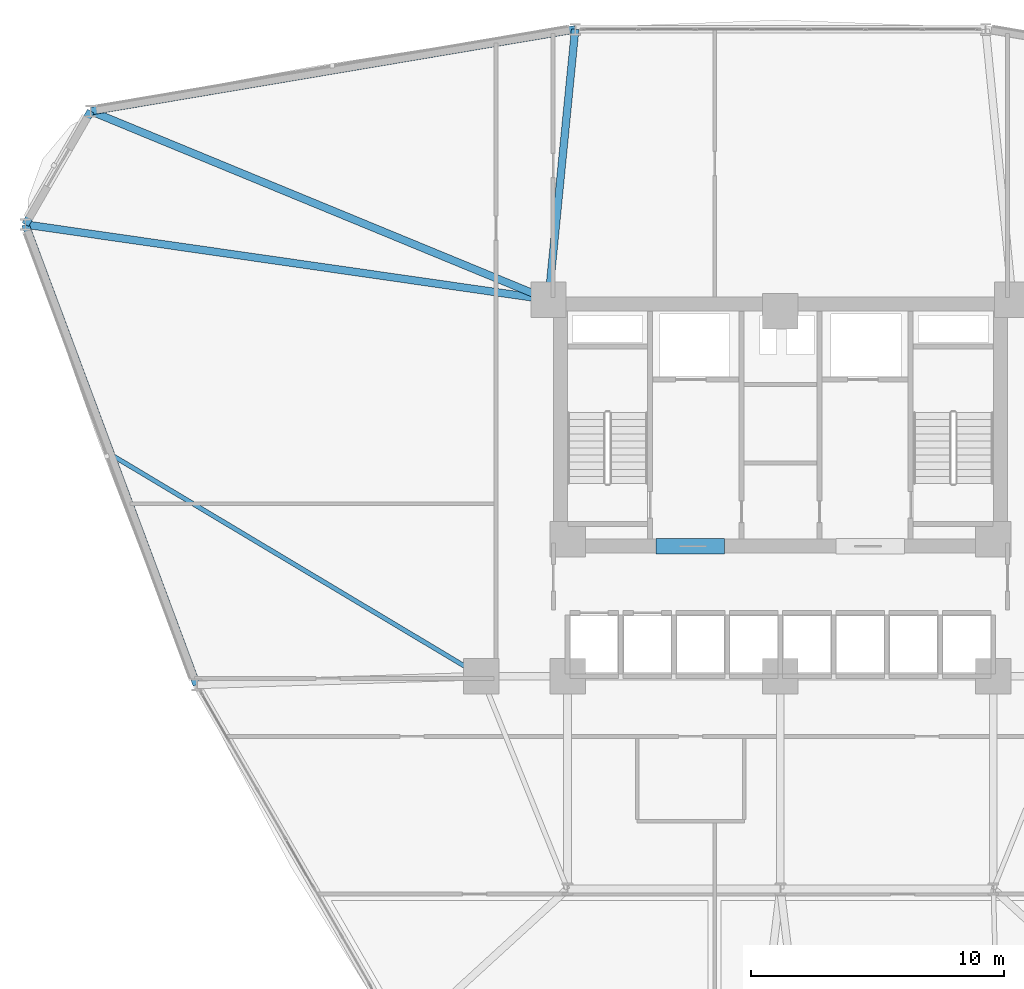
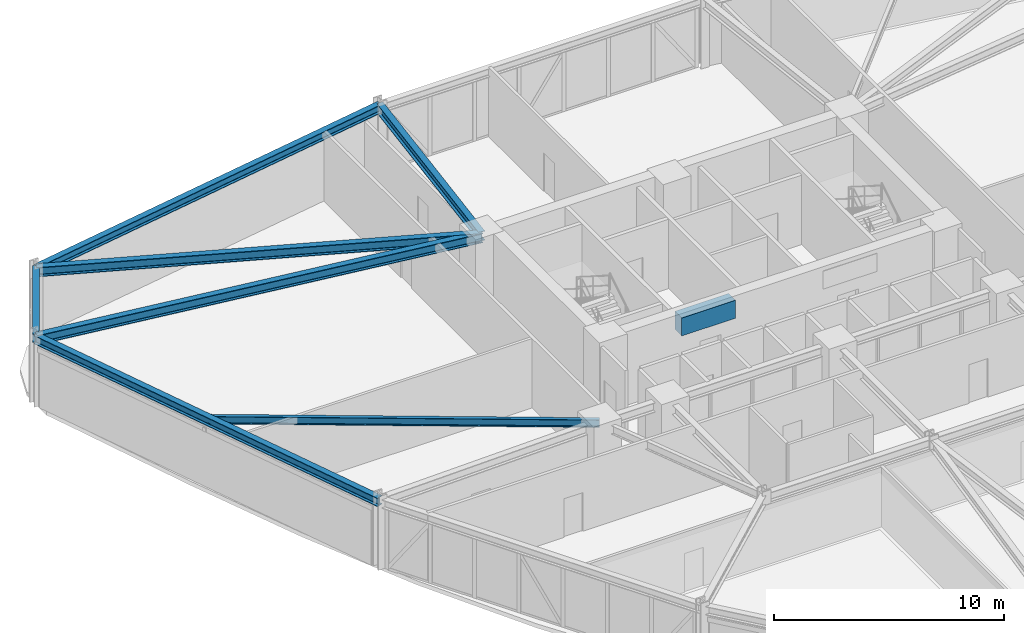
# One storey, part 10 of 21: 8 beams.
"""IFC4 building model written with IfcOpenShell, lengths in metres."""

from ifc_helpers import new_model, si_unit, derived_unit, direction, frame, origin, origin_2d, place, context, subcontext, project, spatial, rectangle, i_section, extrude, source, transform, mapped, material, material_profile, profile_set, type_object, element, save


model = new_model("IFC4")

# Units and contexts
model_context = context("Model", 3, precision=1e-05, world=origin(), true_north=direction((0.0, 1.0)))
body_context = subcontext(model_context, "Body", "Model", "MODEL_VIEW")
ifc_project = project(units=[si_unit("LENGTHUNIT", "METRE"), si_unit("AREAUNIT", "SQUARE_METRE"), si_unit("VOLUMEUNIT", "CUBIC_METRE"), si_unit("PLANEANGLEUNIT", "RADIAN"), si_unit("MASSUNIT", "GRAM", prefix="KILO"), derived_unit("THERMALTRANSMITTANCEUNIT", [(si_unit("POWERUNIT", "WATT"), 1), (si_unit("LENGTHUNIT", "METRE"), -2), (si_unit("THERMODYNAMICTEMPERATUREUNIT", "KELVIN"), -1)])], contexts=[model_context])

# Site, building, storey
site_placement = place(None, origin())
site = spatial("IfcSite", under=ifc_project, at=site_placement, CompositionType="ELEMENT")
building_placement = place(site_placement, origin())
building = spatial("IfcBuilding", under=site, at=building_placement, Name="Korsvarv Bourse and Concert Hall", CompositionType="ELEMENT")
storey_placement = place(building_placement, frame((0.0, 0.0, 27.89990234375)))
storey = spatial("IfcBuildingStorey", under=building, at=storey_placement, Name="L06", CompositionType="ELEMENT", Elevation=27.89990234375)

# Beams
ifc_material_1 = material(Name="Concrete C55/67", Category="concrete")
ifc_material_profile_1 = material_profile(ifc_material_1, rectangle(XDim=0.60009765625, YDim=0.949951171875, at=origin_2d()), Name="RC-BM 600x950")
ifc_profile_set_1 = profile_set([ifc_material_profile_1], Name="Concrete C55/67")
beam_type_1 = type_object("IfcBeamType", Name="BM-CPL", PredefinedType="LINTEL", material=ifc_profile_set_1)
shared_shape_1 = source(origin(), body_context, "Body", "SweptSolid", [
    extrude(rectangle(XDim=0.60009765625, YDim=0.949951171875, at=origin_2d()), origin(), (0.0, 0.0, 1.0), 2.699951171875),
])
beam_1_placement = place(storey_placement, frame((31.10009765625, 37.52490234375, 3.205078125), z_axis=(1.0, 0.0, 0.0), x_axis=(0.0, 1.0, 0.0)))
element("IfcBeam", 1, at=beam_1_placement, inside=storey, type_object=beam_type_1, Name="L06 Core Coupling Beam West", PredefinedType="LINTEL", context=body_context, shape_type="MappedRepresentation", body=[
    mapped(shared_shape_1, transform((0.0, 0.0, 0.0), scale=1.0)),
])
ifc_material_2 = material(Name="Steel S355", Category="steel")
ifc_material_profile_2 = material_profile(ifc_material_2, i_section(OverallWidth=0.300048828125, OverallDepth=0.449951171875, WebThickness=0.013916015625, FlangeThickness=0.02587890625, FilletRadius=0.02099609375, at=origin_2d()), Name="HEB 450")
ifc_profile_set_2 = profile_set([ifc_material_profile_2], Name="Steel S355")
beam_type_2 = type_object("IfcBeamType", Name="BM-HEB450", PredefinedType="SPANDREL", material=ifc_profile_set_2)
shared_shape_2 = source(origin(), body_context, "Body", "SweptSolid", [
    extrude(i_section(OverallWidth=0.300048828125, OverallDepth=0.449951171875, WebThickness=0.013916015625, FlangeThickness=0.02587890625, FilletRadius=0.02099609375, at=origin_2d()), origin(), (0.0, 0.0, 1.0), 5.16357421875),
])
beam_2_placement = place(storey_placement, frame((8.793212890625, 54.689208984375, 3.455078125), z_axis=(-0.499988479627, -0.866032054973, 0.0), x_axis=(0.866032054973, -0.499988479627, 0.0)))
element("IfcBeam", 2, at=beam_2_placement, inside=storey, type_object=beam_type_2, Name="L06 beam B-08", PredefinedType="SPANDREL", context=body_context, shape_type="MappedRepresentation", body=[
    mapped(shared_shape_2, transform((0.0, 0.0, 0.0), scale=1.0)),
])
shared_shape_3 = source(origin(), body_context, "Body", "SweptSolid", [
    extrude(i_section(OverallWidth=0.300048828125, OverallDepth=0.449951171875, WebThickness=0.013916015625, FlangeThickness=0.02587890625, FilletRadius=0.02099609375, at=origin_2d()), origin(), (0.0, 0.0, 1.0), 19.380126953125),
])
beam_3_placement = place(storey_placement, frame((27.902587890625, 57.9169921875, 3.455078125), z_axis=(-0.986032714871, -0.166551749327, 0.0), x_axis=(0.166551749327, -0.986032714871, 0.0)))
element("IfcBeam", 3, at=beam_3_placement, inside=storey, type_object=beam_type_2, Name="L06 beam B-08", PredefinedType="SPANDREL", context=body_context, shape_type="MappedRepresentation", body=[
    mapped(shared_shape_3, transform((0.0, 0.0, 0.0), scale=1.0)),
])
shared_shape_4 = source(origin(), body_context, "Body", "SweptSolid", [
    extrude(i_section(OverallWidth=0.300048828125, OverallDepth=0.449951171875, WebThickness=0.013916015625, FlangeThickness=0.02587890625, FilletRadius=0.02099609375, at=origin_2d()), origin(), (0.0, 0.0, 1.0), 19.3798828125),
])
beam_4_placement = place(storey_placement, frame((6.21142578125, 50.21728515625, 3.455078125), z_axis=(0.348764335055, -0.937210455871, 0.0), x_axis=(0.937210455871, 0.348764335055, 0.0)))
element("IfcBeam", 4, at=beam_4_placement, inside=storey, type_object=beam_type_2, Name="L06 beam B-08", PredefinedType="SPANDREL", context=body_context, shape_type="MappedRepresentation", body=[
    mapped(shared_shape_4, transform((0.0, 0.0, 0.0), scale=1.0)),
])
ifc_material_profile_3 = material_profile(ifc_material_2, i_section(OverallWidth=0.300048828125, OverallDepth=0.5, WebThickness=0.014404296875, FlangeThickness=0.028076171875, FilletRadius=0.02392578125, at=origin_2d()), Name="HEB 500")
ifc_profile_set_3 = profile_set([ifc_material_profile_3], Name="Steel S355")
beam_type_3 = type_object("IfcBeamType", Name="BM-HEB500", PredefinedType="BEAM", material=ifc_profile_set_3)
shared_shape_5 = source(origin(), body_context, "Body", "SweptSolid", [
    extrude(i_section(OverallWidth=0.300048828125, OverallDepth=0.5, WebThickness=0.014404296875, FlangeThickness=0.028076171875, FilletRadius=0.02392578125, at=origin_2d()), origin(), (0.0, 0.0, 1.0), 20.850830078125),
])
beam_5_placement = place(storey_placement, frame((6.21142578125, 50.21728515625, 3.43017578125), z_axis=(0.989822170668, -0.142309769356, 0.0), x_axis=(0.142309769356, 0.989822170668, 0.0)))
element("IfcBeam", 5, at=beam_5_placement, inside=storey, type_object=beam_type_3, Name="L06 beam B-07", PredefinedType="BEAM", context=body_context, shape_type="MappedRepresentation", body=[
    mapped(shared_shape_5, transform((0.0, 0.0, 0.0), scale=1.0)),
])
shared_shape_6 = source(origin(), body_context, "Body", "SweptSolid", [
    extrude(i_section(OverallWidth=0.300048828125, OverallDepth=0.5, WebThickness=0.014404296875, FlangeThickness=0.028076171875, FilletRadius=0.02392578125, at=origin_2d()), origin(), (0.0, 0.0, 1.0), 19.529296875),
])
beam_6_placement = place(storey_placement, frame((8.793212890625, 54.689208984375, 3.43017578125), z_axis=(0.924605589209, -0.380925851581, 0.0), x_axis=(0.380925851581, 0.924605589209, 0.0)))
element("IfcBeam", 6, at=beam_6_placement, inside=storey, type_object=beam_type_3, Name="L06 beam B-07", PredefinedType="BEAM", context=body_context, shape_type="MappedRepresentation", body=[
    mapped(shared_shape_6, transform((0.0, 0.0, 0.0), scale=1.0)),
])
shared_shape_7 = source(origin(), body_context, "Body", "SweptSolid", [
    extrude(i_section(OverallWidth=0.300048828125, OverallDepth=0.5, WebThickness=0.014404296875, FlangeThickness=0.028076171875, FilletRadius=0.02392578125, at=origin_2d()), origin(), (0.0, 0.0, 1.0), 10.71875),
])
beam_7_placement = place(storey_placement, frame((27.902587890625, 57.9169921875, 3.43017578125), z_axis=(-0.098191142764, -0.995167573569, 0.0), x_axis=(0.995167573569, -0.098191142764, 0.0)))
element("IfcBeam", 7, at=beam_7_placement, inside=storey, type_object=beam_type_3, Name="L06 beam B-07", PredefinedType="BEAM", context=body_context, shape_type="MappedRepresentation", body=[
    mapped(shared_shape_7, transform((0.0, 0.0, 0.0), scale=1.0)),
])
ifc_material_profile_4 = material_profile(ifc_material_2, i_section(OverallWidth=0.179931640625, OverallDepth=0.39990234375, WebThickness=0.008544921875, FlangeThickness=0.013427734375, FilletRadius=0.02099609375, at=origin_2d()), Name="IPE 400")
ifc_profile_set_4 = profile_set([ifc_material_profile_4], Name="Steel S355")
beam_type_4 = type_object("IfcBeamType", Name="BM-IPE400", PredefinedType="JOIST", material=ifc_profile_set_4)
shared_shape_8 = source(origin(), body_context, "Body", "SweptSolid", [
    extrude(i_section(OverallWidth=0.179931640625, OverallDepth=0.39990234375, WebThickness=0.008544921875, FlangeThickness=0.013427734375, FilletRadius=0.02099609375, at=origin_2d()), origin(), (0.0, 0.0, 1.0), 17.021728515625),
])
beam_8_placement = place(storey_placement, frame((9.5908203125, 41.135498046875, 3.47998046875), z_axis=(0.858266472199, -0.513204308925, 0.0), x_axis=(0.513204308925, 0.858266472199, 0.0)))
element("IfcBeam", 8, at=beam_8_placement, inside=storey, type_object=beam_type_4, Name="L06 beam J-05", PredefinedType="JOIST", context=body_context, shape_type="MappedRepresentation", body=[
    mapped(shared_shape_8, transform((0.0, 0.0, 0.0), scale=1.0)),
])

save(model, "model.ifc")
